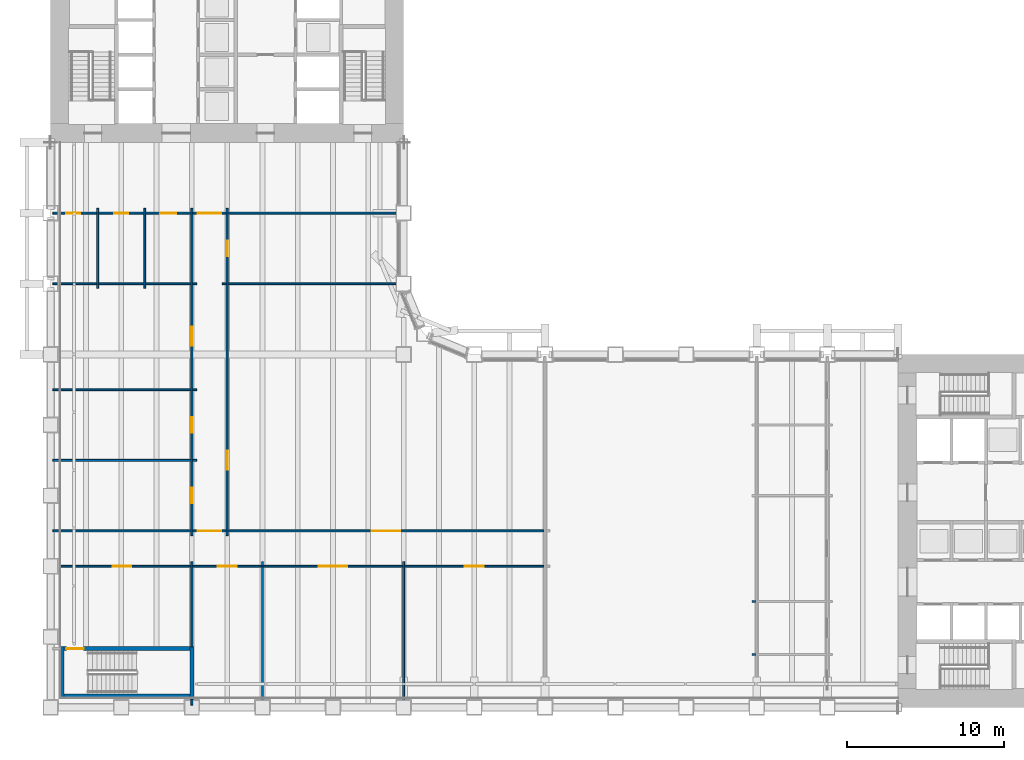
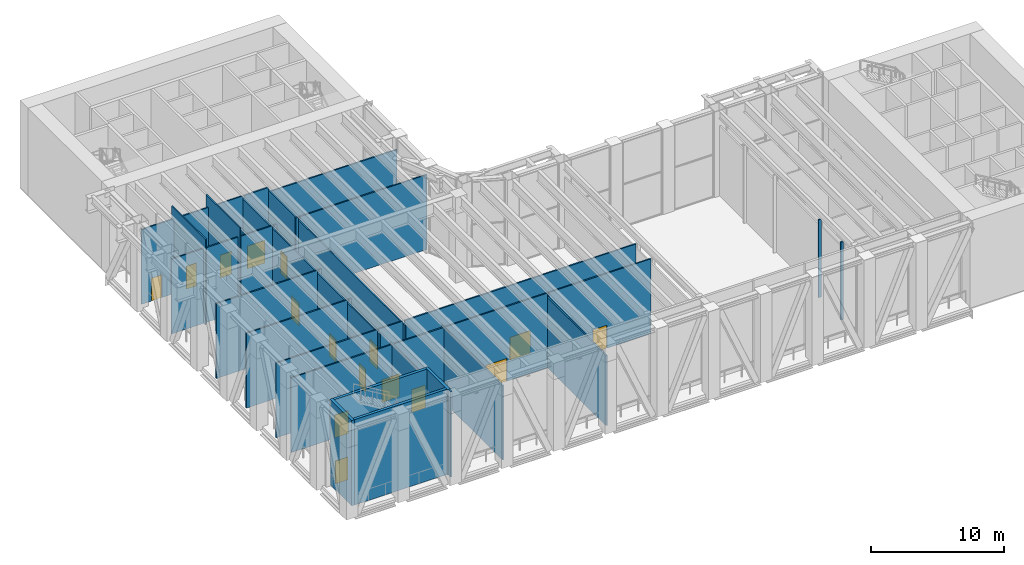
# One storey, part 9 of 21: 36 walls, 16 doors, 16 openings.
"""IFC4 building model written with IfcOpenShell, lengths in metres."""

from ifc_helpers import new_model, si_unit, direction, frame, frame_2d, origin, place, context, subcontext, project, spatial, rectangle, extrude, material, layer, layer_set, type_object, element, fill, save


model = new_model("IFC4")

# Units and contexts
model_context = context("Model", 3, precision=1e-05, world=origin(), true_north=direction((0.0, 1.0)))
body_context = subcontext(model_context, "Body", "Model", "MODEL_VIEW")
ifc_project = project(units=[si_unit("LENGTHUNIT", "METRE"), si_unit("AREAUNIT", "SQUARE_METRE"), si_unit("VOLUMEUNIT", "CUBIC_METRE"), si_unit("PLANEANGLEUNIT", "RADIAN"), si_unit("MASSUNIT", "GRAM", prefix="KILO")], contexts=[model_context])

# Site, building, storey
site_placement = place(None, origin())
site = spatial("IfcSite", under=ifc_project, at=site_placement, CompositionType="ELEMENT")
building_placement = place(site_placement, origin())
building = spatial("IfcBuilding", under=site, at=building_placement, Name="Sennacour Bend Tower", CompositionType="ELEMENT")
storey_placement = place(building_placement, frame((0.0, 0.0, 131.0)))
storey = spatial("IfcBuildingStorey", under=building, at=storey_placement, Name="L30", CompositionType="ELEMENT", Elevation=131.0)

# Walls
ifc_material_1 = material(Name="Plasterboard partition on steel studs", Category="steel")
ifc_layer_1 = layer(ifc_material_1, 0.1201171875, Name="Plasterboard partition on steel studs", Category="steel")
ifc_layer_set_1 = layer_set([ifc_layer_1], Name="Plasterboard partition on steel studs")
wall_type_1 = type_object("IfcWallType", Name="Partition 120", PredefinedType="PARTITIONING", material=ifc_layer_set_1)
for number, where, z_axis, x_axis, name in (
    (1, (3.0, 26.699951171875, 0.0), (0.0, 0.0, 1.0), (0.0, 1.0, 0.0), "P-L30-W003a"),
    (2, (6.0, 26.699951171875, 0.0), (0.0, 0.0, 1.0), (0.0, 1.0, 0.0), "P-L30-W007a"),
):
    element("IfcWall", number, at=place(storey_placement, frame(where, z_axis=z_axis, x_axis=x_axis)), inside=storey, type_object=wall_type_1, Name=name, PredefinedType="PARTITIONING", context=body_context, shape_type="SweptSolid", body=[
        extrude(rectangle(XDim=5.10009765625, YDim=0.1201171875, at=frame_2d((2.550048828125, 0.0))), origin(), (0.0, 0.0, 1.0), 7.85009765625),
    ])
wall_1_placement = place(storey_placement, frame((9.0, 0.14990234375, 0.0), z_axis=(0.0, 0.0, 1.0), x_axis=(0.0, 1.0, 0.0)))
element("IfcWall", 3, at=wall_1_placement, inside=storey, type_object=wall_type_1, Name="P-L30-W009a", PredefinedType="PARTITIONING", context=body_context, shape_type="SweptSolid", body=[
    extrude(rectangle(XDim=0.35009765625, YDim=0.1201171875, at=frame_2d((0.175048828125, 0.0))), origin(), (0.0, 0.0, 1.0), 7.85009765625),
])
wall_2_placement = place(storey_placement, frame((9.0, 3.875, 0.0), z_axis=(0.0, 0.0, 1.0), x_axis=(0.0, 1.0, 0.0)))
element("IfcWall", 4, at=wall_2_placement, inside=storey, type_object=wall_type_1, Name="P-L30-W011a", PredefinedType="PARTITIONING", context=body_context, shape_type="SweptSolid", body=[
    extrude(rectangle(XDim=5.425048828125, YDim=0.1201171875, at=frame_2d((2.71240234375, 0.0))), origin(), (0.0, 0.0, 1.0), 6.8701171875),
])
wall_3_placement = place(storey_placement, frame((13.5, 0.14990234375, 0.0), z_axis=(0.0, 0.0, 1.0), x_axis=(0.0, 1.0, 0.0)))
element("IfcWall", 5, at=wall_3_placement, inside=storey, type_object=wall_type_1, Name="P-L30-W016a", PredefinedType="PARTITIONING", context=body_context, shape_type="SweptSolid", body=[
    extrude(rectangle(XDim=9.150146484375, YDim=0.1201171875, at=frame_2d((4.5751953125, 0.0))), origin(), (0.0, 0.0, 1.0), 6.8701171875),
])
wall_4_placement = place(storey_placement, frame((22.5, 0.14990234375, 0.0), z_axis=(0.0, 0.0, 1.0), x_axis=(0.0, 1.0, 0.0)))
element("IfcWall", 6, at=wall_4_placement, inside=storey, type_object=wall_type_1, Name="P-L30-W020a", PredefinedType="PARTITIONING", context=body_context, shape_type="SweptSolid", body=[
    extrude(rectangle(XDim=9.150146484375, YDim=0.1201171875, at=frame_2d((4.5751953125, 0.0))), origin(), (0.0, 0.0, 1.0), 6.449951171875),
])
for number, where, z_axis, x_axis, name in (
    (7, (44.699951171875, 3.375, 0.0), (0.0, 0.0, 1.0), (1.0, 0.0, 0.0), "P-L30-W042aa"),
    (8, (44.699951171875, 6.75, 0.0), (0.0, 0.0, 1.0), (1.0, 0.0, 0.0), "P-L30-W049aa"),
):
    element("IfcWall", number, at=place(storey_placement, frame(where, z_axis=z_axis, x_axis=x_axis)), inside=storey, type_object=wall_type_1, Name=name, PredefinedType="PARTITIONING", context=body_context, shape_type="SweptSolid", body=[
        extrude(rectangle(XDim=0.239990234375, YDim=0.1201171875, at=frame_2d((0.1201171875, 0.0))), origin(), (0.0, 0.0, 1.0), 7.14892578125),
    ])

# Wall, opening, door
wall_5_placement = place(storey_placement, frame((9.06005859375, 9.0, 0.0), z_axis=(0.0, 0.0, 1.0), x_axis=(1.0, 0.0, 0.0)))
wall_5 = element("IfcWall", 9, at=wall_5_placement, inside=storey, type_object=wall_type_1, Name="P-L30-W050ab", PredefinedType="PARTITIONING", context=body_context, shape_type="SweptSolid", body=[
    extrude(rectangle(XDim=4.3798828125, YDim=0.1201171875, at=frame_2d((2.18994140625, 0.0))), origin(), (0.0, 0.0, 1.0), 6.8701171875),
])
opening_1_placement = place(wall_5_placement, frame((1.58984375, 0.0, 0.0)))
opening_1 = element("IfcOpeningElement", 10, at=opening_1_placement, cuts=wall_5, Name="Opening OD", PredefinedType="OPENING", context=body_context, shape_type="SweptSolid", body=[
    extrude(rectangle(XDim=1.199951171875, YDim=2.10009765625, at=frame_2d((0.60009765625, 1.050048828125))), frame((0.0, 0.070068359375, 0.0), z_axis=(0.0, -1.0, 0.0), x_axis=(1.0, 0.0, 0.0)), (0.0, 0.0, 1.0), 0.14013671875),
])
ifc_material_2 = material(Name="Timber", Category="wood")
door_type_1 = type_object("IfcDoorType", Name="DR-OFFICE-1200", OperationType="NOTDEFINED", PredefinedType="DOOR", material=ifc_material_2)
door_1_placement = place(opening_1_placement, origin())
door_1 = element("IfcDoor", 11, at=door_1_placement, inside=storey, type_object=door_type_1, Name="Door", OperationType="SINGLE_SWING_LEFT", OverallHeight=2.10009765625, OverallWidth=1.199951171875, PredefinedType="DOOR", context=body_context, shape_type="SweptSolid", body=[
    extrude(rectangle(XDim=1.199951171875, YDim=2.10009765625, at=frame_2d((0.60009765625, 1.050048828125))), frame((0.0, 0.02490234375, 0.0), z_axis=(0.0, -1.0, 0.0), x_axis=(1.0, 0.0, 0.0)), (0.0, 0.0, 1.0), 0.050048828125),
])
fill(opening_1, door_1)

wall_6_placement = place(storey_placement, frame((13.56005859375, 9.0, 0.0), z_axis=(0.0, 0.0, 1.0), x_axis=(1.0, 0.0, 0.0)))
wall_6 = element("IfcWall", 12, at=wall_6_placement, inside=storey, type_object=wall_type_1, Name="P-L30-W050ac", PredefinedType="PARTITIONING", context=body_context, shape_type="SweptSolid", body=[
    extrude(rectangle(XDim=8.8798828125, YDim=0.1201171875, at=frame_2d((4.43994140625, 0.0))), origin(), (0.0, 0.0, 1.0), 6.8701171875),
])
opening_2_placement = place(wall_6_placement, frame((3.539794921875, 0.0, 0.0)))
opening_2 = element("IfcOpeningElement", 13, at=opening_2_placement, cuts=wall_6, Name="Opening OD3", PredefinedType="OPENING", context=body_context, shape_type="SweptSolid", body=[
    extrude(rectangle(XDim=1.800048828125, YDim=2.10009765625, at=frame_2d((0.89990234375, 1.050048828125))), frame((0.0, 0.070068359375, 0.0), z_axis=(0.0, -1.0, 0.0), x_axis=(1.0, 0.0, 0.0)), (0.0, 0.0, 1.0), 0.14013671875),
])
door_type_2 = type_object("IfcDoorType", Name="DR-OFFICE-1800", OperationType="NOTDEFINED", PredefinedType="DOOR", material=ifc_material_2)
door_2_placement = place(opening_2_placement, origin())
door_2 = element("IfcDoor", 14, at=door_2_placement, inside=storey, type_object=door_type_2, Name="Door", OperationType="DOUBLE_DOOR_SINGLE_SWING", OverallHeight=2.10009765625, OverallWidth=1.800048828125, PredefinedType="DOOR", context=body_context, shape_type="SweptSolid", body=[
    extrude(rectangle(XDim=1.800048828125, YDim=2.10009765625, at=frame_2d((0.89990234375, 1.050048828125))), frame((0.0, 0.02490234375, 0.0), z_axis=(0.0, -1.0, 0.0), x_axis=(1.0, 0.0, 0.0)), (0.0, 0.0, 1.0), 0.050048828125),
])
fill(opening_2, door_2)

# Walls
for number, where, z_axis, x_axis, name in (
    (15, (0.14990234375, 11.25, 0.0), (0.0, 0.0, 1.0), (1.0, 0.0, 0.0), "P-L30-W052aa"),
    (16, (0.14990234375, 15.75, 0.0), (0.0, 0.0, 1.0), (1.0, 0.0, 0.0), "P-L30-W056aa"),
):
    element("IfcWall", number, at=place(storey_placement, frame(where, z_axis=z_axis, x_axis=x_axis)), inside=storey, type_object=wall_type_1, Name=name, PredefinedType="PARTITIONING", context=body_context, shape_type="SweptSolid", body=[
        extrude(rectangle(XDim=8.7900390625, YDim=0.1201171875, at=frame_2d((4.39501953125, 0.0))), origin(), (0.0, 0.0, 1.0), 6.8701171875),
    ])
wall_7_placement = place(storey_placement, frame((9.06005859375, 15.75, 0.0), z_axis=(0.0, 0.0, 1.0), x_axis=(1.0, 0.0, 0.0)))
element("IfcWall", 17, at=wall_7_placement, inside=storey, type_object=wall_type_1, Name="P-L30-W056ab", PredefinedType="PARTITIONING", context=body_context, shape_type="SweptSolid", body=[
    extrude(rectangle(XDim=0.239990234375, YDim=0.1201171875, at=frame_2d((0.1201171875, 0.0))), origin(), (0.0, 0.0, 1.0), 6.8701171875),
])
wall_8_placement = place(storey_placement, frame((0.14990234375, 20.25, 0.0), z_axis=(0.0, 0.0, 1.0), x_axis=(1.0, 0.0, 0.0)))
element("IfcWall", 18, at=wall_8_placement, inside=storey, type_object=wall_type_1, Name="P-L30-W060aa", PredefinedType="PARTITIONING", context=body_context, shape_type="SweptSolid", body=[
    extrude(rectangle(XDim=8.7900390625, YDim=0.1201171875, at=frame_2d((4.39501953125, 0.0))), origin(), (0.0, 0.0, 1.0), 6.8701171875),
])
wall_9_placement = place(storey_placement, frame((9.06005859375, 20.25, 0.0), z_axis=(0.0, 0.0, 1.0), x_axis=(1.0, 0.0, 0.0)))
element("IfcWall", 19, at=wall_9_placement, inside=storey, type_object=wall_type_1, Name="P-L30-W060ab", PredefinedType="PARTITIONING", context=body_context, shape_type="SweptSolid", body=[
    extrude(rectangle(XDim=0.239990234375, YDim=0.1201171875, at=frame_2d((0.1201171875, 0.0))), origin(), (0.0, 0.0, 1.0), 6.8701171875),
])
wall_10_placement = place(storey_placement, frame((0.14990234375, 27.0, 0.0), z_axis=(0.0, 0.0, 1.0), x_axis=(1.0, 0.0, 0.0)))
element("IfcWall", 20, at=wall_10_placement, inside=storey, type_object=wall_type_1, Name="P-L30-W062aa", PredefinedType="PARTITIONING", context=body_context, shape_type="SweptSolid", body=[
    extrude(rectangle(XDim=2.7900390625, YDim=0.1201171875, at=frame_2d((1.39501953125, 0.0))), origin(), (0.0, 0.0, 1.0), 6.8701171875),
])
for number, where, z_axis, x_axis, name in (
    (21, (3.06005859375, 27.0, 0.0), (0.0, 0.0, 1.0), (1.0, 0.0, 0.0), "P-L30-W062ab"),
    (22, (6.06005859375, 27.0, 0.0), (0.0, 0.0, 1.0), (1.0, 0.0, 0.0), "P-L30-W062ac"),
):
    element("IfcWall", number, at=place(storey_placement, frame(where, z_axis=z_axis, x_axis=x_axis)), inside=storey, type_object=wall_type_1, Name=name, PredefinedType="PARTITIONING", context=body_context, shape_type="SweptSolid", body=[
        extrude(rectangle(XDim=2.8798828125, YDim=0.1201171875, at=frame_2d((1.43994140625, 0.0))), origin(), (0.0, 0.0, 1.0), 6.8701171875),
    ])
for number, where, z_axis, x_axis, name in (
    (23, (9.06005859375, 27.0, 0.0), (0.0, 0.0, 1.0), (1.0, 0.0, 0.0), "P-L30-W062ad"),
    (24, (10.949951171875, 27.0, 0.0), (0.0, 0.0, 1.0), (1.0, 0.0, 0.0), "P-L30-W063aa"),
):
    element("IfcWall", number, at=place(storey_placement, frame(where, z_axis=z_axis, x_axis=x_axis)), inside=storey, type_object=wall_type_1, Name=name, PredefinedType="PARTITIONING", context=body_context, shape_type="SweptSolid", body=[
        extrude(rectangle(XDim=0.239990234375, YDim=0.1201171875, at=frame_2d((0.1201171875, 0.0))), origin(), (0.0, 0.0, 1.0), 6.8701171875),
    ])
wall_11_placement = place(storey_placement, frame((11.31005859375, 27.0, 0.0), z_axis=(0.0, 0.0, 1.0), x_axis=(1.0, 0.0, 0.0)))
element("IfcWall", 25, at=wall_11_placement, inside=storey, type_object=wall_type_1, Name="P-L30-W063ab", PredefinedType="PARTITIONING", context=body_context, shape_type="SweptSolid", body=[
    extrude(rectangle(XDim=11.0400390625, YDim=0.1201171875, at=frame_2d((5.52001953125, 0.0))), origin(), (0.0, 0.0, 1.0), 6.8701171875),
])

# Wall, opening, door
wall_12_placement = place(storey_placement, frame((0.14990234375, 31.5, 0.0), z_axis=(0.0, 0.0, 1.0), x_axis=(1.0, 0.0, 0.0)))
wall_12 = element("IfcWall", 26, at=wall_12_placement, inside=storey, type_object=wall_type_1, Name="P-L30-W064aa", PredefinedType="PARTITIONING", context=body_context, shape_type="SweptSolid", body=[
    extrude(rectangle(XDim=2.7900390625, YDim=0.1201171875, at=frame_2d((1.39501953125, 0.0))), origin(), (0.0, 0.0, 1.0), 6.8701171875),
])
opening_3_placement = place(wall_12_placement, frame((0.85009765625, 0.0, 0.0)))
opening_3 = element("IfcOpeningElement", 27, at=opening_3_placement, cuts=wall_12, Name="Opening WD", PredefinedType="OPENING", context=body_context, shape_type="SweptSolid", body=[
    extrude(rectangle(XDim=0.89990234375, YDim=2.10009765625, at=frame_2d((0.449951171875, 1.050048828125))), frame((0.0, 0.070068359375, 0.0), z_axis=(0.0, -1.0, 0.0), x_axis=(1.0, 0.0, 0.0)), (0.0, 0.0, 1.0), 0.14013671875),
])
door_type_3 = type_object("IfcDoorType", Name="DR-WC-900", OperationType="NOTDEFINED", PredefinedType="DOOR", material=ifc_material_2)
door_3_placement = place(opening_3_placement, origin())
door_3 = element("IfcDoor", 28, at=door_3_placement, inside=storey, type_object=door_type_3, Name="Door", OperationType="SINGLE_SWING_LEFT", OverallHeight=2.10009765625, OverallWidth=0.89990234375, PredefinedType="DOOR", context=body_context, shape_type="SweptSolid", body=[
    extrude(rectangle(XDim=0.89990234375, YDim=2.10009765625, at=frame_2d((0.449951171875, 1.050048828125))), frame((0.0, 0.02490234375, 0.0), z_axis=(0.0, -1.0, 0.0), x_axis=(1.0, 0.0, 0.0)), (0.0, 0.0, 1.0), 0.050048828125),
])
fill(opening_3, door_3)

wall_13_placement = place(storey_placement, frame((3.06005859375, 31.5, 0.0), z_axis=(0.0, 0.0, 1.0), x_axis=(1.0, 0.0, 0.0)))
wall_13 = element("IfcWall", 29, at=wall_13_placement, inside=storey, type_object=wall_type_1, Name="P-L30-W064ab", PredefinedType="PARTITIONING", context=body_context, shape_type="SweptSolid", body=[
    extrude(rectangle(XDim=2.8798828125, YDim=0.1201171875, at=frame_2d((1.43994140625, 0.0))), origin(), (0.0, 0.0, 1.0), 6.8701171875),
])
opening_4_placement = place(wall_13_placement, frame((0.989990234375, 0.0, 0.0)))
opening_4 = element("IfcOpeningElement", 30, at=opening_4_placement, cuts=wall_13, Name="Opening WD", PredefinedType="OPENING", context=body_context, shape_type="SweptSolid", body=[
    extrude(rectangle(XDim=0.89990234375, YDim=2.10009765625, at=frame_2d((0.449951171875, 1.050048828125))), frame((0.0, 0.070068359375, 0.0), z_axis=(0.0, -1.0, 0.0), x_axis=(1.0, 0.0, 0.0)), (0.0, 0.0, 1.0), 0.14013671875),
])
door_4_placement = place(opening_4_placement, origin())
door_4 = element("IfcDoor", 31, at=door_4_placement, inside=storey, type_object=door_type_3, Name="Door", OperationType="SINGLE_SWING_LEFT", OverallHeight=2.10009765625, OverallWidth=0.89990234375, PredefinedType="DOOR", context=body_context, shape_type="SweptSolid", body=[
    extrude(rectangle(XDim=0.89990234375, YDim=2.10009765625, at=frame_2d((0.449951171875, 1.050048828125))), frame((0.0, 0.02490234375, 0.0), z_axis=(0.0, -1.0, 0.0), x_axis=(1.0, 0.0, 0.0)), (0.0, 0.0, 1.0), 0.050048828125),
])
fill(opening_4, door_4)

wall_14_placement = place(storey_placement, frame((6.06005859375, 31.5, 0.0), z_axis=(0.0, 0.0, 1.0), x_axis=(1.0, 0.0, 0.0)))
wall_14 = element("IfcWall", 32, at=wall_14_placement, inside=storey, type_object=wall_type_1, Name="P-L30-W064ac", PredefinedType="PARTITIONING", context=body_context, shape_type="SweptSolid", body=[
    extrude(rectangle(XDim=2.8798828125, YDim=0.1201171875, at=frame_2d((1.43994140625, 0.0))), origin(), (0.0, 0.0, 1.0), 6.8701171875),
])
opening_5_placement = place(wall_14_placement, frame((0.93994140625, 0.0, 0.0)))
opening_5 = element("IfcOpeningElement", 33, at=opening_5_placement, cuts=wall_14, Name="Opening AD", PredefinedType="OPENING", context=body_context, shape_type="SweptSolid", body=[
    extrude(rectangle(XDim=1.0, YDim=2.10009765625, at=frame_2d((0.5, 1.050048828125))), frame((0.0, 0.070068359375, 0.0), z_axis=(0.0, -1.0, 0.0), x_axis=(1.0, 0.0, 0.0)), (0.0, 0.0, 1.0), 0.14013671875),
])
door_type_4 = type_object("IfcDoorType", Name="DR-ACC-WC-1000", OperationType="NOTDEFINED", PredefinedType="DOOR", material=ifc_material_2)
door_5_placement = place(opening_5_placement, origin())
door_5 = element("IfcDoor", 34, at=door_5_placement, inside=storey, type_object=door_type_4, Name="Door", OperationType="SINGLE_SWING_LEFT", OverallHeight=2.10009765625, OverallWidth=1.0, PredefinedType="DOOR", context=body_context, shape_type="SweptSolid", body=[
    extrude(rectangle(XDim=1.0, YDim=2.10009765625, at=frame_2d((0.5, 1.050048828125))), frame((0.0, 0.02490234375, 0.0), z_axis=(0.0, -1.0, 0.0), x_axis=(1.0, 0.0, 0.0)), (0.0, 0.0, 1.0), 0.050048828125),
])
fill(opening_5, door_5)

# Wall
wall_15_placement = place(storey_placement, frame((11.31005859375, 31.5, 0.0), z_axis=(0.0, 0.0, 1.0), x_axis=(1.0, 0.0, 0.0)))
element("IfcWall", 35, at=wall_15_placement, inside=storey, type_object=wall_type_1, Name="P-L30-W064ae", PredefinedType="PARTITIONING", context=body_context, shape_type="SweptSolid", body=[
    extrude(rectangle(XDim=11.0400390625, YDim=0.1201171875, at=frame_2d((5.52001953125, 0.0))), origin(), (0.0, 0.0, 1.0), 6.449951171875),
])

# Wall, opening, door
ifc_layer_2 = layer(ifc_material_1, 0.1201171875, Name="Plasterboard partition on steel studs", Category="steel")
ifc_layer_set_2 = layer_set([ifc_layer_2], Name="Plasterboard partition on steel studs")
wall_type_2 = type_object("IfcWallType", Name="Partition 120 EI 30", PredefinedType="PARTITIONING", material=ifc_layer_set_2)
wall_16_placement = place(storey_placement, frame((0.14990234375, 9.0, 0.0), z_axis=(0.0, 0.0, 1.0), x_axis=(1.0, 0.0, 0.0)))
wall_16 = element("IfcWall", 36, at=wall_16_placement, inside=storey, type_object=wall_type_2, Name="P-L30-W050aa", PredefinedType="PARTITIONING", context=body_context, shape_type="SweptSolid", body=[
    extrude(rectangle(XDim=8.7900390625, YDim=0.1201171875, at=frame_2d((4.39501953125, 0.0))), origin(), (0.0, 0.0, 1.0), 6.8701171875),
])
opening_6_placement = place(wall_16_placement, frame((3.80517578125, 0.0, 0.0)))
opening_6 = element("IfcOpeningElement", 37, at=opening_6_placement, cuts=wall_16, Name="Opening KD2", PredefinedType="OPENING", context=body_context, shape_type="SweptSolid", body=[
    extrude(rectangle(XDim=1.199951171875, YDim=2.10009765625, at=frame_2d((0.60009765625, 1.050048828125))), frame((0.0, 0.070068359375, 0.0), z_axis=(0.0, -1.0, 0.0), x_axis=(1.0, 0.0, 0.0)), (0.0, 0.0, 1.0), 0.14013671875),
])
ifc_material_3 = material(Name="Painted steel", Category="steel")
door_type_5 = type_object("IfcDoorType", Name="DR-CORRIDOR-1200", OperationType="NOTDEFINED", PredefinedType="DOOR", material=ifc_material_3)
door_6_placement = place(opening_6_placement, origin())
door_6 = element("IfcDoor", 38, at=door_6_placement, inside=storey, type_object=door_type_5, Name="Door", OperationType="SINGLE_SWING_RIGHT", OverallHeight=2.10009765625, OverallWidth=1.199951171875, PredefinedType="DOOR", context=body_context, shape_type="SweptSolid", body=[
    extrude(rectangle(XDim=1.199951171875, YDim=2.10009765625, at=frame_2d((0.60009765625, 1.050048828125))), frame((0.0, 0.02490234375, 0.0), z_axis=(0.0, -1.0, 0.0), x_axis=(1.0, 0.0, 0.0)), (0.0, 0.0, 1.0), 0.050048828125),
])
fill(opening_6, door_6)

wall_17_placement = place(storey_placement, frame((9.06005859375, 11.25, 0.0), z_axis=(0.0, 0.0, 1.0), x_axis=(1.0, 0.0, 0.0)))
wall_17 = element("IfcWall", 39, at=wall_17_placement, inside=storey, type_object=wall_type_2, Name="P-L30-W052ab", PredefinedType="PARTITIONING", context=body_context, shape_type="SweptSolid", body=[
    extrude(rectangle(XDim=2.1298828125, YDim=0.1201171875, at=frame_2d((1.06494140625, 0.0))), origin(), (0.0, 0.0, 1.0), 6.8701171875),
])
opening_7_placement = place(wall_17_placement, frame((0.31494140625, 0.0, 0.0)))
opening_7 = element("IfcOpeningElement", 40, at=opening_7_placement, cuts=wall_17, Name="Opening KD", PredefinedType="OPENING", context=body_context, shape_type="SweptSolid", body=[
    extrude(rectangle(XDim=1.5, YDim=2.10009765625, at=frame_2d((0.75, 1.050048828125))), frame((0.0, 0.070068359375, 0.0), z_axis=(0.0, -1.0, 0.0), x_axis=(1.0, 0.0, 0.0)), (0.0, 0.0, 1.0), 0.14013671875),
])
door_type_6 = type_object("IfcDoorType", Name="DR-CORRIDOR-1500", OperationType="NOTDEFINED", PredefinedType="DOOR", material=ifc_material_3)
door_7_placement = place(opening_7_placement, origin())
door_7 = element("IfcDoor", 41, at=door_7_placement, inside=storey, type_object=door_type_6, Name="Door", OperationType="SINGLE_SWING_LEFT", OverallHeight=2.10009765625, OverallWidth=1.5, PredefinedType="DOOR", context=body_context, shape_type="SweptSolid", body=[
    extrude(rectangle(XDim=1.5, YDim=2.10009765625, at=frame_2d((0.75, 1.050048828125))), frame((0.0, 0.02490234375, 0.0), z_axis=(0.0, -1.0, 0.0), x_axis=(1.0, 0.0, 0.0)), (0.0, 0.0, 1.0), 0.050048828125),
])
fill(opening_7, door_7)

wall_18_placement = place(storey_placement, frame((9.06005859375, 31.5, 0.0), z_axis=(0.0, 0.0, 1.0), x_axis=(1.0, 0.0, 0.0)))
wall_18 = element("IfcWall", 42, at=wall_18_placement, inside=storey, type_object=wall_type_2, Name="P-L30-W064ad", PredefinedType="PARTITIONING", context=body_context, shape_type="SweptSolid", body=[
    extrude(rectangle(XDim=2.1298828125, YDim=0.1201171875, at=frame_2d((1.06494140625, 0.0))), origin(), (0.0, 0.0, 1.0), 6.8701171875),
])
opening_8_placement = place(wall_18_placement, frame((0.31494140625, 0.0, 0.0)))
opening_8 = element("IfcOpeningElement", 43, at=opening_8_placement, cuts=wall_18, Name="Opening KD", PredefinedType="OPENING", context=body_context, shape_type="SweptSolid", body=[
    extrude(rectangle(XDim=1.5, YDim=2.10009765625, at=frame_2d((0.75, 1.050048828125))), frame((0.0, 0.070068359375, 0.0), z_axis=(0.0, -1.0, 0.0), x_axis=(1.0, 0.0, 0.0)), (0.0, 0.0, 1.0), 0.14013671875),
])
door_8_placement = place(opening_8_placement, origin())
door_8 = element("IfcDoor", 44, at=door_8_placement, inside=storey, type_object=door_type_6, Name="Door", OperationType="SINGLE_SWING_LEFT", OverallHeight=2.10009765625, OverallWidth=1.5, PredefinedType="DOOR", context=body_context, shape_type="SweptSolid", body=[
    extrude(rectangle(XDim=1.5, YDim=2.10009765625, at=frame_2d((0.75, 1.050048828125))), frame((0.0, 0.02490234375, 0.0), z_axis=(0.0, -1.0, 0.0), x_axis=(1.0, 0.0, 0.0)), (0.0, 0.0, 1.0), 0.050048828125),
])
fill(opening_8, door_8)

# Wall, openings, doors
ifc_layer_3 = layer(ifc_material_1, 0.1201171875, Name="Plasterboard partition on steel studs", Category="steel")
ifc_layer_set_3 = layer_set([ifc_layer_3], Name="Plasterboard partition on steel studs")
wall_type_3 = type_object("IfcWallType", Name="Partition 120 EI 60", PredefinedType="PARTITIONING", material=ifc_layer_set_3)
wall_19_placement = place(storey_placement, frame((9.0, 10.949951171875, 0.0), z_axis=(0.0, 0.0, 1.0), x_axis=(0.0, 1.0, 0.0)))
wall_19 = element("IfcWall", 45, at=wall_19_placement, inside=storey, type_object=wall_type_3, Name="P-L30-W012a", PredefinedType="PARTITIONING", context=body_context, shape_type="SweptSolid", body=[
    extrude(rectangle(XDim=20.85009765625, YDim=0.1201171875, at=frame_2d((10.425048828125, 0.0))), origin(), (0.0, 0.0, 1.0), 6.60009765625),
])
opening_9_placement = place(wall_19_placement, frame((2.050048828125, 0.0, 0.0)))
opening_9 = element("IfcOpeningElement", 46, at=opening_9_placement, cuts=wall_19, Name="Opening PD2", PredefinedType="OPENING", context=body_context, shape_type="SweptSolid", body=[
    extrude(rectangle(XDim=1.0, YDim=2.10009765625, at=frame_2d((0.5, 1.050048828125))), frame((0.0, 0.070068359375, 0.0), z_axis=(0.0, -1.0, 0.0), x_axis=(1.0, 0.0, 0.0)), (0.0, 0.0, 1.0), 0.14013671875),
])
opening_10_placement = place(wall_19_placement, frame((6.550048828125, 0.0, 0.0)))
opening_10 = element("IfcOpeningElement", 47, at=opening_10_placement, cuts=wall_19, Name="Opening PD2", PredefinedType="OPENING", context=body_context, shape_type="SweptSolid", body=[
    extrude(rectangle(XDim=1.0, YDim=2.10009765625, at=frame_2d((0.5, 1.050048828125))), frame((0.0, 0.070068359375, 0.0), z_axis=(0.0, -1.0, 0.0), x_axis=(1.0, 0.0, 0.0)), (0.0, 0.0, 1.0), 0.14013671875),
])
opening_11_placement = place(wall_19_placement, frame((12.10498046875, 0.0, 0.0)))
opening_11 = element("IfcOpeningElement", 48, at=opening_11_placement, cuts=wall_19, Name="Opening PD", PredefinedType="OPENING", context=body_context, shape_type="SweptSolid", body=[
    extrude(rectangle(XDim=1.199951171875, YDim=2.10009765625, at=frame_2d((0.60009765625, 1.050048828125))), frame((0.0, 0.070068359375, 0.0), z_axis=(0.0, -1.0, 0.0), x_axis=(1.0, 0.0, 0.0)), (0.0, 0.0, 1.0), 0.14013671875),
])
door_type_7 = type_object("IfcDoorType", Name="DR-PLANT-1000", OperationType="NOTDEFINED", PredefinedType="DOOR", material=ifc_material_3)
door_9_placement = place(opening_9_placement, origin())
door_9 = element("IfcDoor", 49, at=door_9_placement, inside=storey, type_object=door_type_7, Name="Door", OperationType="SINGLE_SWING_LEFT", OverallHeight=2.10009765625, OverallWidth=1.0, PredefinedType="DOOR", context=body_context, shape_type="SweptSolid", body=[
    extrude(rectangle(XDim=1.0, YDim=2.10009765625, at=frame_2d((0.5, 1.050048828125))), frame((0.0, 0.02490234375, 0.0), z_axis=(0.0, -1.0, 0.0), x_axis=(1.0, 0.0, 0.0)), (0.0, 0.0, 1.0), 0.050048828125),
])
fill(opening_9, door_9)
door_10_placement = place(opening_10_placement, origin())
door_10 = element("IfcDoor", 50, at=door_10_placement, inside=storey, type_object=door_type_7, Name="Door", OperationType="SINGLE_SWING_LEFT", OverallHeight=2.10009765625, OverallWidth=1.0, PredefinedType="DOOR", context=body_context, shape_type="SweptSolid", body=[
    extrude(rectangle(XDim=1.0, YDim=2.10009765625, at=frame_2d((0.5, 1.050048828125))), frame((0.0, 0.02490234375, 0.0), z_axis=(0.0, -1.0, 0.0), x_axis=(1.0, 0.0, 0.0)), (0.0, 0.0, 1.0), 0.050048828125),
])
fill(opening_10, door_10)
door_type_8 = type_object("IfcDoorType", Name="DR-PLANT-1200", OperationType="NOTDEFINED", PredefinedType="DOOR", material=ifc_material_3)
door_11_placement = place(opening_11_placement, origin())
door_11 = element("IfcDoor", 51, at=door_11_placement, inside=storey, type_object=door_type_8, Name="Door", OperationType="SINGLE_SWING_RIGHT", OverallHeight=2.10009765625, OverallWidth=1.199951171875, PredefinedType="DOOR", context=body_context, shape_type="SweptSolid", body=[
    extrude(rectangle(XDim=1.199951171875, YDim=2.10009765625, at=frame_2d((0.60009765625, 1.050048828125))), frame((0.0, 0.02490234375, 0.0), z_axis=(0.0, -1.0, 0.0), x_axis=(1.0, 0.0, 0.0)), (0.0, 0.0, 1.0), 0.050048828125),
])
fill(opening_11, door_11)

wall_20_placement = place(storey_placement, frame((11.25, 10.949951171875, 0.0), z_axis=(0.0, 0.0, 1.0), x_axis=(0.0, 1.0, 0.0)))
wall_20 = element("IfcWall", 52, at=wall_20_placement, inside=storey, type_object=wall_type_3, Name="P-L30-W014a", PredefinedType="PARTITIONING", context=body_context, shape_type="SweptSolid", body=[
    extrude(rectangle(XDim=20.85009765625, YDim=0.1201171875, at=frame_2d((10.425048828125, 0.0))), origin(), (0.0, 0.0, 1.0), 6.60009765625),
])
opening_12_placement = place(wall_20_placement, frame((17.800048828125, 0.0, 0.0)))
opening_12 = element("IfcOpeningElement", 53, at=opening_12_placement, cuts=wall_20, Name="Opening PD2", PredefinedType="OPENING", context=body_context, shape_type="SweptSolid", body=[
    extrude(rectangle(XDim=1.0, YDim=2.10009765625, at=frame_2d((0.5, 1.050048828125))), frame((0.0, 0.070068359375, 0.0), z_axis=(0.0, -1.0, 0.0), x_axis=(1.0, 0.0, 0.0)), (0.0, 0.0, 1.0), 0.14013671875),
])
opening_13_placement = place(wall_20_placement, frame((4.199951171875, 0.0, 0.0)))
opening_13 = element("IfcOpeningElement", 54, at=opening_13_placement, cuts=wall_20, Name="Opening PD", PredefinedType="OPENING", context=body_context, shape_type="SweptSolid", body=[
    extrude(rectangle(XDim=1.199951171875, YDim=2.10009765625, at=frame_2d((0.60009765625, 1.050048828125))), frame((0.0, 0.070068359375, 0.0), z_axis=(0.0, -1.0, 0.0), x_axis=(1.0, 0.0, 0.0)), (0.0, 0.0, 1.0), 0.14013671875),
])
door_12_placement = place(opening_12_placement, origin())
door_12 = element("IfcDoor", 55, at=door_12_placement, inside=storey, type_object=door_type_7, Name="Door", OperationType="SINGLE_SWING_RIGHT", OverallHeight=2.10009765625, OverallWidth=1.0, PredefinedType="DOOR", context=body_context, shape_type="SweptSolid", body=[
    extrude(rectangle(XDim=1.0, YDim=2.10009765625, at=frame_2d((0.5, 1.050048828125))), frame((0.0, 0.02490234375, 0.0), z_axis=(0.0, -1.0, 0.0), x_axis=(1.0, 0.0, 0.0)), (0.0, 0.0, 1.0), 0.050048828125),
])
fill(opening_12, door_12)
door_13_placement = place(opening_13_placement, origin())
door_13 = element("IfcDoor", 56, at=door_13_placement, inside=storey, type_object=door_type_8, Name="Door", OperationType="SINGLE_SWING_LEFT", OverallHeight=2.10009765625, OverallWidth=1.199951171875, PredefinedType="DOOR", context=body_context, shape_type="SweptSolid", body=[
    extrude(rectangle(XDim=1.199951171875, YDim=2.10009765625, at=frame_2d((0.60009765625, 1.050048828125))), frame((0.0, 0.02490234375, 0.0), z_axis=(0.0, -1.0, 0.0), x_axis=(1.0, 0.0, 0.0)), (0.0, 0.0, 1.0), 0.050048828125),
])
fill(opening_13, door_13)

# Wall, opening, door
wall_21_placement = place(storey_placement, frame((22.56005859375, 9.0, 0.0), z_axis=(0.0, 0.0, 1.0), x_axis=(1.0, 0.0, 0.0)))
wall_21 = element("IfcWall", 57, at=wall_21_placement, inside=storey, type_object=wall_type_3, Name="P-L30-W050ad", PredefinedType="PARTITIONING", context=body_context, shape_type="SweptSolid", body=[
    extrude(rectangle(XDim=8.8798828125, YDim=0.1201171875, at=frame_2d((4.43994140625, 0.0))), origin(), (0.0, 0.0, 1.0), 6.8701171875),
])
opening_14_placement = place(wall_21_placement, frame((3.83984375, 0.0, 0.0)))
opening_14 = element("IfcOpeningElement", 58, at=opening_14_placement, cuts=wall_21, Name="Opening PD", PredefinedType="OPENING", context=body_context, shape_type="SweptSolid", body=[
    extrude(rectangle(XDim=1.199951171875, YDim=2.10009765625, at=frame_2d((0.60009765625, 1.050048828125))), frame((0.0, 0.070068359375, 0.0), z_axis=(0.0, -1.0, 0.0), x_axis=(1.0, 0.0, 0.0)), (0.0, 0.0, 1.0), 0.14013671875),
])
door_14_placement = place(opening_14_placement, origin())
door_14 = element("IfcDoor", 59, at=door_14_placement, inside=storey, type_object=door_type_8, Name="Door", OperationType="SINGLE_SWING_LEFT", OverallHeight=2.10009765625, OverallWidth=1.199951171875, PredefinedType="DOOR", context=body_context, shape_type="SweptSolid", body=[
    extrude(rectangle(XDim=1.199951171875, YDim=2.10009765625, at=frame_2d((0.60009765625, 1.050048828125))), frame((0.0, 0.02490234375, 0.0), z_axis=(0.0, -1.0, 0.0), x_axis=(1.0, 0.0, 0.0)), (0.0, 0.0, 1.0), 0.050048828125),
])
fill(opening_14, door_14)

wall_22_placement = place(storey_placement, frame((11.31005859375, 11.25, 0.0), z_axis=(0.0, 0.0, 1.0), x_axis=(1.0, 0.0, 0.0)))
wall_22 = element("IfcWall", 60, at=wall_22_placement, inside=storey, type_object=wall_type_3, Name="P-L30-W052ac", PredefinedType="PARTITIONING", context=body_context, shape_type="SweptSolid", body=[
    extrude(rectangle(XDim=20.1298828125, YDim=0.1201171875, at=frame_2d((10.06494140625, 0.0))), origin(), (0.0, 0.0, 1.0), 6.8701171875),
])
opening_15_placement = place(wall_22_placement, frame((9.164794921875, 0.0, 0.0)))
opening_15 = element("IfcOpeningElement", 61, at=opening_15_placement, cuts=wall_22, Name="Opening PD3", PredefinedType="OPENING", context=body_context, shape_type="SweptSolid", body=[
    extrude(rectangle(XDim=1.800048828125, YDim=2.10009765625, at=frame_2d((0.89990234375, 1.050048828125))), frame((0.0, 0.070068359375, 0.0), z_axis=(0.0, -1.0, 0.0), x_axis=(1.0, 0.0, 0.0)), (0.0, 0.0, 1.0), 0.14013671875),
])
door_type_9 = type_object("IfcDoorType", Name="DR-PLANT-1800", OperationType="NOTDEFINED", PredefinedType="DOOR", material=ifc_material_3)
door_15_placement = place(opening_15_placement, origin())
door_15 = element("IfcDoor", 62, at=door_15_placement, inside=storey, type_object=door_type_9, Name="Door", OperationType="DOUBLE_DOOR_SINGLE_SWING", OverallHeight=2.10009765625, OverallWidth=1.800048828125, PredefinedType="DOOR", context=body_context, shape_type="SweptSolid", body=[
    extrude(rectangle(XDim=1.800048828125, YDim=2.10009765625, at=frame_2d((0.89990234375, 1.050048828125))), frame((0.0, 0.02490234375, 0.0), z_axis=(0.0, -1.0, 0.0), x_axis=(1.0, 0.0, 0.0)), (0.0, 0.0, 1.0), 0.050048828125),
])
fill(opening_15, door_15)

# Walls
ifc_material_4 = material(Name="Concrete C60/75", Category="concrete")
ifc_layer_4 = layer(ifc_material_4, 0.25, Name="Concrete C60/75", Category="concrete")
ifc_layer_set_4 = layer_set([ifc_layer_4], Name="Concrete C60/75")
wall_type_4 = type_object("IfcWallType", Name="Stair wall 250", PredefinedType="SHEAR", material=ifc_layer_set_4)
wall_23_placement = place(storey_placement, frame((0.72509765625, 0.60009765625, 0.0), z_axis=(0.0, 0.0, 1.0), x_axis=(0.0, 1.0, 0.0)))
element("IfcWall", 63, at=wall_23_placement, inside=storey, type_object=wall_type_4, Name="P-L30-W002", PredefinedType="SHEAR", context=body_context, shape_type="SweptSolid", body=[
    extrude(rectangle(XDim=3.27490234375, YDim=0.25, at=frame_2d((1.637451171875, 0.0))), origin(), (0.0, 0.0, 1.0), 7.85009765625),
])
wall_24_placement = place(storey_placement, frame((9.0, 0.5, 0.0), z_axis=(0.0, 0.0, 1.0), x_axis=(0.0, 1.0, 0.0)))
element("IfcWall", 64, at=wall_24_placement, inside=storey, type_object=wall_type_4, Name="P-L30-W010", PredefinedType="SHEAR", context=body_context, shape_type="SweptSolid", body=[
    extrude(rectangle(XDim=3.375, YDim=0.25, at=frame_2d((1.6875, 0.0))), origin(), (0.0, 0.0, 1.0), 7.85009765625),
])
wall_25_placement = place(storey_placement, frame((0.85009765625, 0.72509765625, 0.0), z_axis=(0.0, 0.0, 1.0), x_axis=(1.0, 0.0, 0.0)))
element("IfcWall", 65, at=wall_25_placement, inside=storey, type_object=wall_type_4, Name="P-L30-W041", PredefinedType="SHEAR", context=body_context, shape_type="SweptSolid", body=[
    extrude(rectangle(XDim=8.02490234375, YDim=0.25, at=frame_2d((4.012451171875, 0.0))), origin(), (0.0, 0.0, 1.0), 7.85009765625),
])

# Wall, opening, door
wall_26_placement = place(storey_placement, frame((0.85009765625, 3.75, 0.0), z_axis=(0.0, 0.0, 1.0), x_axis=(1.0, 0.0, 0.0)))
wall_26 = element("IfcWall", 66, at=wall_26_placement, inside=storey, type_object=wall_type_4, Name="P-L30-W044", PredefinedType="SHEAR", context=body_context, shape_type="SweptSolid", body=[
    extrude(rectangle(XDim=8.02490234375, YDim=0.25, at=frame_2d((4.012451171875, 0.0))), origin(), (0.0, 0.0, 1.0), 7.85009765625),
])
opening_16_placement = place(wall_26_placement, frame((0.14990234375, 0.0, 0.0)))
opening_16 = element("IfcOpeningElement", 67, at=opening_16_placement, cuts=wall_26, Name="Opening SD", PredefinedType="OPENING", context=body_context, shape_type="SweptSolid", body=[
    extrude(rectangle(XDim=1.10009765625, YDim=2.10009765625, at=frame_2d((0.550048828125, 1.050048828125))), frame((0.0, 0.135009765625, 0.0), z_axis=(0.0, -1.0, 0.0), x_axis=(1.0, 0.0, 0.0)), (0.0, 0.0, 1.0), 0.27001953125),
])
door_type_10 = type_object("IfcDoorType", Name="DR-STAIR-1100", OperationType="NOTDEFINED", PredefinedType="DOOR", material=ifc_material_3)
door_16_placement = place(opening_16_placement, origin())
door_16 = element("IfcDoor", 68, at=door_16_placement, inside=storey, type_object=door_type_10, Name="Door", OperationType="SINGLE_SWING_LEFT", OverallHeight=2.10009765625, OverallWidth=1.10009765625, PredefinedType="DOOR", context=body_context, shape_type="SweptSolid", body=[
    extrude(rectangle(XDim=1.10009765625, YDim=2.10009765625, at=frame_2d((0.550048828125, 1.050048828125))), frame((0.0, 0.02490234375, 0.0), z_axis=(0.0, -1.0, 0.0), x_axis=(1.0, 0.0, 0.0)), (0.0, 0.0, 1.0), 0.050048828125),
])
fill(opening_16, door_16)

save(model, "model.ifc")
